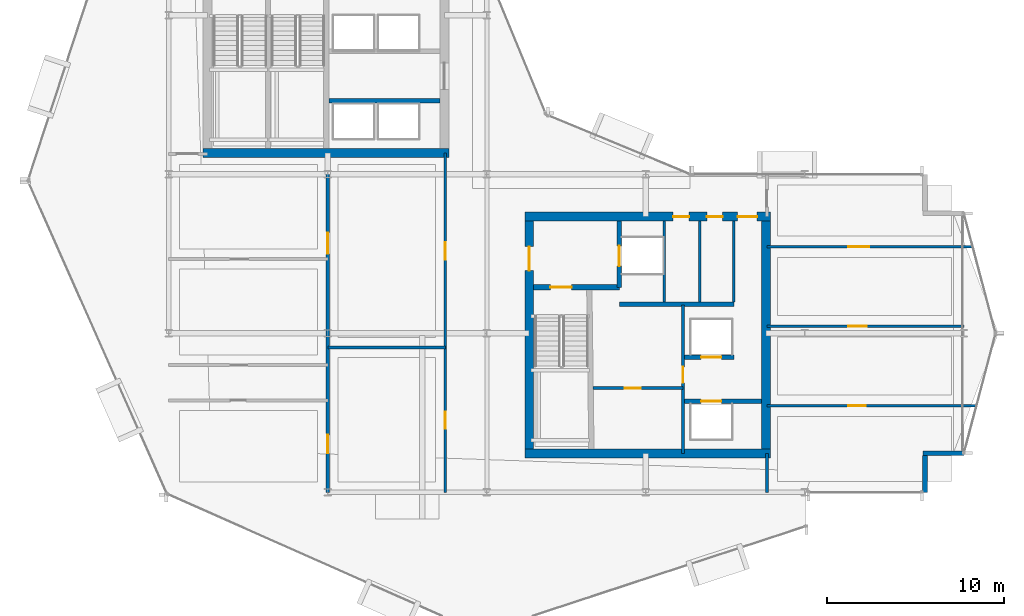
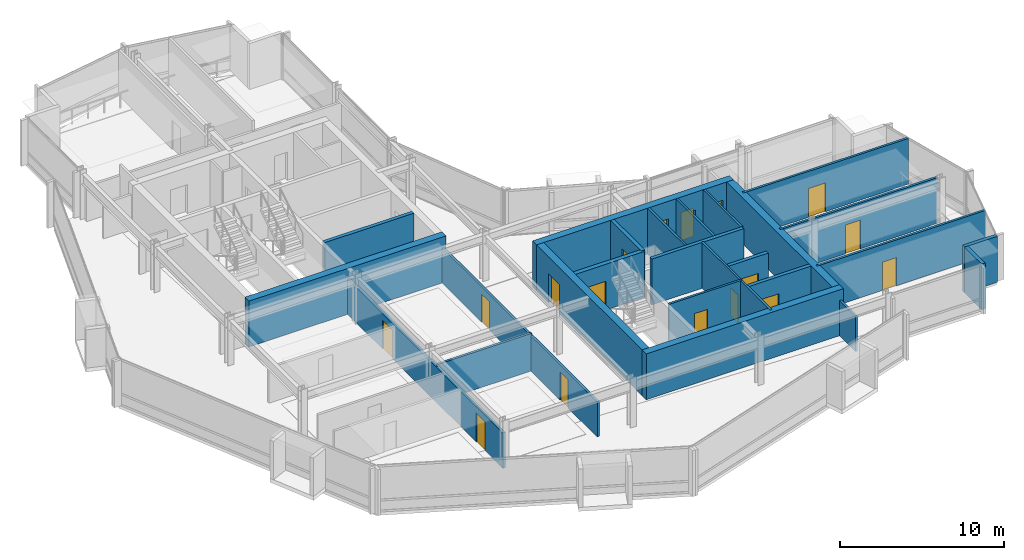
# One storey, part 22 of 29: 25 walls, 17 doors, 17 openings.
"""IFC4 building model written with IfcOpenShell, lengths in metres."""

from ifc_helpers import new_model, si_unit, direction, frame, frame_2d, origin, place, context, subcontext, project, spatial, rectangle, extrude, material, layer, layer_set, type_object, element, fill, save


model = new_model("IFC4")

# Units and contexts
model_context = context("Model", 3, precision=1e-05, world=origin(), true_north=direction((0.0, 1.0)))
body_context = subcontext(model_context, "Body", "Model", "MODEL_VIEW")
ifc_project = project(units=[si_unit("LENGTHUNIT", "METRE"), si_unit("AREAUNIT", "SQUARE_METRE"), si_unit("VOLUMEUNIT", "CUBIC_METRE"), si_unit("PLANEANGLEUNIT", "RADIAN"), si_unit("MASSUNIT", "GRAM", prefix="KILO")], contexts=[model_context])

# Site, building, storey
site_placement = place(None, origin())
site = spatial("IfcSite", under=ifc_project, at=site_placement, CompositionType="ELEMENT")
building_placement = place(site_placement, origin())
building = spatial("IfcBuilding", under=site, at=building_placement, Name="Solvaryn Broadcast Tower", CompositionType="ELEMENT")
storey_placement = place(building_placement, frame((0.0, 0.0, 139.60009765625)))
storey = spatial("IfcBuildingStorey", under=building, at=storey_placement, Name="L34", CompositionType="ELEMENT", Elevation=139.60009765625)

# Walls
ifc_material_1 = material(Name="Concrete f'c 70 MPa", Category="concrete")
ifc_layer_1 = layer(ifc_material_1, 0.5)
ifc_layer_set_1 = layer_set([ifc_layer_1], Name="CW-SHEAR-500")
wall_type_1 = type_object("IfcWallType", Name="CW-SHEAR-500", PredefinedType="SHEAR", material=ifc_layer_set_1)
for number, where, z_axis, x_axis, name in (
    (1, (10.949951171875, 28.199951171875, 0.0), (0.0, 0.0, 1.0), (1.0, 0.0, 0.0), "L34 West Core South Shear Wall"),
    (2, (29.14990234375, 11.199951171875, 0.0), (0.0, 0.0, 1.0), (1.0, 0.0, 0.0), "L34 East Core South Shear Wall"),
):
    element("IfcWall", number, at=place(storey_placement, frame(where, z_axis=z_axis, x_axis=x_axis)), inside=storey, type_object=wall_type_1, Name=name, PredefinedType="SHEAR", context=body_context, shape_type="SweptSolid", body=[
        extrude(rectangle(XDim=13.900146484375, YDim=0.5, at=frame_2d((6.9501953125, 0.0))), origin(), (0.0, 0.0, 1.0), 3.419921875),
    ])

# Wall, openings, doors
wall_1_placement = place(storey_placement, frame((43.050048828125, 24.60009765625, 0.0), z_axis=(0.0, 0.0, 1.0), x_axis=(-1.0, 0.0, 0.0)))
wall_1 = element("IfcWall", 3, at=wall_1_placement, inside=storey, type_object=wall_type_1, Name="L34 East Core North Shear Wall", PredefinedType="SHEAR", context=body_context, shape_type="SweptSolid", body=[
    extrude(rectangle(XDim=13.900146484375, YDim=0.5, at=frame_2d((6.9501953125, 0.0))), origin(), (0.0, 0.0, 1.0), 3.419921875),
])
opening_1_placement = place(wall_1_placement, frame((0.75, 0.0, 0.0)))
opening_1 = element("IfcOpeningElement", 4, at=opening_1_placement, cuts=wall_1, Name="Opening FD90C", PredefinedType="OPENING", context=body_context, shape_type="SweptSolid", body=[
    extrude(rectangle(XDim=1.10009765625, YDim=2.14990234375, at=frame_2d((0.550048828125, 1.074951171875))), frame((0.0, 0.260009765625, 0.0), z_axis=(0.0, -1.0, 0.0), x_axis=(1.0, 0.0, 0.0)), (0.0, 0.0, 1.0), 0.52001953125),
])
opening_2_placement = place(wall_1_placement, frame((2.699951171875, 0.0, 0.0)))
opening_2 = element("IfcOpeningElement", 5, at=opening_2_placement, cuts=wall_1, Name="Opening FD60C", PredefinedType="OPENING", context=body_context, shape_type="SweptSolid", body=[
    extrude(rectangle(XDim=0.89990234375, YDim=2.10009765625, at=frame_2d((0.449951171875, 1.050048828125))), frame((0.0, 0.260009765625, 0.0), z_axis=(0.0, -1.0, 0.0), x_axis=(1.0, 0.0, 0.0)), (0.0, 0.0, 1.0), 0.52001953125),
])
opening_3_placement = place(wall_1_placement, frame((4.60009765625, 0.0, 0.0)))
opening_3 = element("IfcOpeningElement", 6, at=opening_3_placement, cuts=wall_1, Name="Opening FD60C", PredefinedType="OPENING", context=body_context, shape_type="SweptSolid", body=[
    extrude(rectangle(XDim=0.89990234375, YDim=2.10009765625, at=frame_2d((0.449951171875, 1.050048828125))), frame((0.0, 0.260009765625, 0.0), z_axis=(0.0, -1.0, 0.0), x_axis=(1.0, 0.0, 0.0)), (0.0, 0.0, 1.0), 0.52001953125),
])
ifc_material_2 = material(Name="Flush Acoustic Steel and Timber Door Assembly", Category="steel")
door_type_1 = type_object("IfcDoorType", Name="FD60-SERV-900X2100", OperationType="NOTDEFINED", PredefinedType="DOOR", material=ifc_material_2)
door_1_placement = place(opening_2_placement, origin())
door_1 = element("IfcDoor", 7, at=door_1_placement, inside=storey, type_object=door_type_1, Name="L34 Staff Restroom Door", OperationType="SINGLE_SWING_LEFT", OverallHeight=2.10009765625, OverallWidth=0.89990234375, PredefinedType="DOOR", context=body_context, shape_type="SweptSolid", body=[
    extrude(rectangle(XDim=0.89990234375, YDim=2.10009765625, at=frame_2d((0.449951171875, 1.050048828125))), frame((0.0, 0.02490234375, 0.0), z_axis=(0.0, -1.0, 0.0), x_axis=(1.0, 0.0, 0.0)), (0.0, 0.0, 1.0), 0.050048828125),
])
fill(opening_2, door_1)
door_2_placement = place(opening_3_placement, origin())
door_2 = element("IfcDoor", 8, at=door_2_placement, inside=storey, type_object=door_type_1, Name="L34 Accessible WC Door", OperationType="SINGLE_SWING_RIGHT", OverallHeight=2.10009765625, OverallWidth=0.89990234375, PredefinedType="DOOR", context=body_context, shape_type="SweptSolid", body=[
    extrude(rectangle(XDim=0.89990234375, YDim=2.10009765625, at=frame_2d((0.449951171875, 1.050048828125))), frame((0.0, 0.02490234375, 0.0), z_axis=(0.0, -1.0, 0.0), x_axis=(1.0, 0.0, 0.0)), (0.0, 0.0, 1.0), 0.050048828125),
])
fill(opening_3, door_2)
ifc_material_3 = material(Name="Flush Acoustic Steel and Timber Door Assembly", Category="steel")
door_type_2 = type_object("IfcDoorType", Name="FD90-PLANT-1100X2150", OperationType="NOTDEFINED", PredefinedType="DOOR", material=ifc_material_3)
door_3_placement = place(opening_1_placement, origin())
door_3 = element("IfcDoor", 9, at=door_3_placement, inside=storey, type_object=door_type_2, Name="L34 East Core Lobby Corridor Door", OperationType="SINGLE_SWING_LEFT", OverallHeight=2.14990234375, OverallWidth=1.10009765625, PredefinedType="DOOR", context=body_context, shape_type="SweptSolid", body=[
    extrude(rectangle(XDim=1.10009765625, YDim=2.14990234375, at=frame_2d((0.550048828125, 1.074951171875))), frame((0.0, 0.02490234375, 0.0), z_axis=(0.0, -1.0, 0.0), x_axis=(1.0, 0.0, 0.0)), (0.0, 0.0, 1.0), 0.050048828125),
])
fill(opening_1, door_3)

# Wall, opening, door
wall_2_placement = place(storey_placement, frame((29.39990234375, 24.35009765625, 0.0), z_axis=(0.0, 0.0, 1.0), x_axis=(0.0, -1.0, 0.0)))
wall_2 = element("IfcWall", 10, at=wall_2_placement, inside=storey, type_object=wall_type_1, Name="L34 East Core West Shear Wall", PredefinedType="SHEAR", context=body_context, shape_type="SweptSolid", body=[
    extrude(rectangle(XDim=12.900146484375, YDim=0.5, at=frame_2d((6.4501953125, 0.0))), origin(), (0.0, 0.0, 1.0), 3.419921875),
])
opening_4_placement = place(wall_2_placement, frame((1.449951171875, 0.0, 0.0)))
opening_4 = element("IfcOpeningElement", 11, at=opening_4_placement, cuts=wall_2, Name="Opening FD90B", PredefinedType="OPENING", context=body_context, shape_type="SweptSolid", body=[
    extrude(rectangle(XDim=1.35009765625, YDim=2.14990234375, at=frame_2d((0.675048828125, 1.074951171875))), frame((0.0, 0.260009765625, 0.0), z_axis=(0.0, -1.0, 0.0), x_axis=(1.0, 0.0, 0.0)), (0.0, 0.0, 1.0), 0.52001953125),
])
ifc_material_4 = material(Name="Flush Acoustic Steel and Timber Door Assembly", Category="steel")
door_type_3 = type_object("IfcDoorType", Name="FD90-LOBBY-1350X2150", OperationType="NOTDEFINED", PredefinedType="DOOR", material=ifc_material_4)
door_4_placement = place(opening_4_placement, origin())
door_4 = element("IfcDoor", 12, at=door_4_placement, inside=storey, type_object=door_type_3, Name="L34 East FSAE Lobby Door", OperationType="SINGLE_SWING_RIGHT", OverallHeight=2.14990234375, OverallWidth=1.35009765625, PredefinedType="DOOR", context=body_context, shape_type="SweptSolid", body=[
    extrude(rectangle(XDim=1.35009765625, YDim=2.14990234375, at=frame_2d((0.675048828125, 1.074951171875))), frame((0.0, 0.02490234375, 0.0), z_axis=(0.0, -1.0, 0.0), x_axis=(1.0, 0.0, 0.0)), (0.0, 0.0, 1.0), 0.050048828125),
])
fill(opening_4, door_4)

# Walls
wall_3_placement = place(storey_placement, frame((42.800048828125, 11.449951171875, 0.0), z_axis=(0.0, 0.0, 1.0), x_axis=(0.0, 1.0, 0.0)))
element("IfcWall", 13, at=wall_3_placement, inside=storey, type_object=wall_type_1, Name="L34 East Core East Shear Wall", PredefinedType="SHEAR", context=body_context, shape_type="SweptSolid", body=[
    extrude(rectangle(XDim=12.900146484375, YDim=0.5, at=frame_2d((6.4501953125, 0.0))), origin(), (0.0, 0.0, 1.0), 3.419921875),
])
ifc_material_5 = material(Name="Concrete f'c 50 MPa", Category="concrete")
ifc_layer_2 = layer(ifc_material_5, 0.260009765625)
ifc_layer_set_2 = layer_set([ifc_layer_2], Name="EW-PIER-260")
wall_type_2 = type_object("IfcWallType", Name="EW-PIER-260", PredefinedType="SOLIDWALL", material=ifc_layer_set_2)
wall_4_placement = place(storey_placement, frame((51.800048828125, 9.0, 0.0), z_axis=(0.0, 0.0, 1.0), x_axis=(0.0, 1.0, 0.0)))
element("IfcWall", 14, at=wall_4_placement, inside=storey, type_object=wall_type_2, Name="L34 Notched Corner Pier Wall NSE1", PredefinedType="SOLIDWALL", context=body_context, shape_type="SweptSolid", body=[
    extrude(rectangle(XDim=2.080078125, YDim=0.260009765625, at=frame_2d((1.0400390625, 0.0))), origin(), (0.0, 0.0, 1.0), 3.419921875),
])
wall_5_placement = place(storey_placement, frame((51.679931640625, 11.199951171875, 0.0), z_axis=(0.0, 0.0, 1.0), x_axis=(1.0, 0.0, 0.0)))
element("IfcWall", 15, at=wall_5_placement, inside=storey, type_object=wall_type_2, Name="L34 Notched Corner Pier Wall NSE2", PredefinedType="SOLIDWALL", context=body_context, shape_type="SweptSolid", body=[
    extrude(rectangle(XDim=2.320068359375, YDim=0.260009765625, at=frame_2d((1.16015625, 0.0))), origin(), (0.0, 0.0, 1.0), 3.419921875),
])

# Wall, opening, door
ifc_material_6 = material(Name="Metal-Stud Service Core Partition")
ifc_layer_3 = layer(ifc_material_6, 0.14990234375)
ifc_layer_set_3 = layer_set([ifc_layer_3], Name="IW-PART-150")
wall_type_3 = type_object("IfcWallType", Name="IW-PART-150", PredefinedType="PARTITIONING", material=ifc_layer_set_3)
wall_6_placement = place(storey_placement, frame((33.0, 14.89990234375, 0.0), z_axis=(0.0, 0.0, 1.0), x_axis=(1.0, 0.0, 0.0)))
wall_6 = element("IfcWall", 16, at=wall_6_placement, inside=storey, type_object=wall_type_3, Name="L34 Interior Partition IW-L34-RPL-H", PredefinedType="PARTITIONING", context=body_context, shape_type="SweptSolid", body=[
    extrude(rectangle(XDim=5.10009765625, YDim=0.14990234375, at=frame_2d((2.550048828125, 0.0))), origin(), (0.0, 0.0, 1.0), 3.419921875),
])
opening_5_placement = place(wall_6_placement, frame((1.800048828125, 0.0, 0.0)))
opening_5 = element("IfcOpeningElement", 17, at=opening_5_placement, cuts=wall_6, Name="Opening FD60C", PredefinedType="OPENING", context=body_context, shape_type="SweptSolid", body=[
    extrude(rectangle(XDim=0.89990234375, YDim=2.10009765625, at=frame_2d((0.449951171875, 1.050048828125))), frame((0.0, 0.0849609375, 0.0), z_axis=(0.0, -1.0, 0.0), x_axis=(1.0, 0.0, 0.0)), (0.0, 0.0, 1.0), 0.169921875),
])
door_5_placement = place(opening_5_placement, origin())
door_5 = element("IfcDoor", 18, at=door_5_placement, inside=storey, type_object=door_type_1, Name="L34 Door DR-L34-RPL1", OperationType="SINGLE_SWING_LEFT", OverallHeight=2.10009765625, OverallWidth=0.89990234375, PredefinedType="DOOR", context=body_context, shape_type="SweptSolid", body=[
    extrude(rectangle(XDim=0.89990234375, YDim=2.10009765625, at=frame_2d((0.449951171875, 1.050048828125))), frame((0.0, 0.02490234375, 0.0), z_axis=(0.0, -1.0, 0.0), x_axis=(1.0, 0.0, 0.0)), (0.0, 0.0, 1.0), 0.050048828125),
])
fill(opening_5, door_5)

wall_7_placement = place(storey_placement, frame((38.10009765625, 11.199951171875, 0.0), z_axis=(0.0, 0.0, 1.0), x_axis=(0.0, 1.0, 0.0)))
wall_7 = element("IfcWall", 19, at=wall_7_placement, inside=storey, type_object=wall_type_3, Name="L34 Interior Partition IW-L34-RPL-E", PredefinedType="PARTITIONING", context=body_context, shape_type="SweptSolid", body=[
    extrude(rectangle(XDim=8.400146484375, YDim=0.14990234375, at=frame_2d((4.2001953125, 0.0))), origin(), (0.0, 0.0, 1.0), 3.419921875),
])
opening_6_placement = place(wall_7_placement, frame((4.0, 0.0, 0.0)))
opening_6 = element("IfcOpeningElement", 20, at=opening_6_placement, cuts=wall_7, Name="Opening FD60C", PredefinedType="OPENING", context=body_context, shape_type="SweptSolid", body=[
    extrude(rectangle(XDim=0.89990234375, YDim=2.10009765625, at=frame_2d((0.449951171875, 1.050048828125))), frame((0.0, 0.0849609375, 0.0), z_axis=(0.0, -1.0, 0.0), x_axis=(1.0, 0.0, 0.0)), (0.0, 0.0, 1.0), 0.169921875),
])
door_6_placement = place(opening_6_placement, origin())
door_6 = element("IfcDoor", 21, at=door_6_placement, inside=storey, type_object=door_type_1, Name="L34 Door DR-L34-RPL2", OperationType="SINGLE_SWING_RIGHT", OverallHeight=2.10009765625, OverallWidth=0.89990234375, PredefinedType="DOOR", context=body_context, shape_type="SweptSolid", body=[
    extrude(rectangle(XDim=0.89990234375, YDim=2.10009765625, at=frame_2d((0.449951171875, 1.050048828125))), frame((0.0, 0.02490234375, 0.0), z_axis=(0.0, -1.0, 0.0), x_axis=(1.0, 0.0, 0.0)), (0.0, 0.0, 1.0), 0.050048828125),
])
fill(opening_6, door_6)

# Walls
for number, where, z_axis, x_axis, name in (
    (22, (37.050048828125, 19.780029296875, 0.0), (0.0, 0.0, 1.0), (0.0, 1.0, 0.0), "L34 Interior Partition IW-L34-CE-FL2E"),
    (23, (39.050048828125, 19.780029296875, 0.0), (0.0, 0.0, 1.0), (0.0, 1.0, 0.0), "L34 Interior Partition IW-L34-CE-V1"),
    (24, (40.97998046875, 19.780029296875, 0.0), (0.0, 0.0, 1.0), (0.0, 1.0, 0.0), "L34 Interior Partition IW-L34-CE-V3"),
):
    element("IfcWall", number, at=place(storey_placement, frame(where, z_axis=z_axis, x_axis=x_axis)), inside=storey, type_object=wall_type_3, Name=name, PredefinedType="PARTITIONING", context=body_context, shape_type="SweptSolid", body=[
        extrude(rectangle(XDim=4.570068359375, YDim=0.14990234375, at=frame_2d((2.28515625, 0.0))), origin(), (0.0, 0.0, 1.0), 3.419921875),
    ])

# Wall, openings, doors
ifc_material_7 = material(Name="Metal-Stud Gypsum Office Partition")
ifc_layer_4 = layer(ifc_material_7, 0.159912109375)
ifc_layer_set_4 = layer_set([ifc_layer_4], Name="IW-PART-160")
wall_type_4 = type_object("IfcWallType", Name="IW-PART-160", PredefinedType="PARTITIONING", material=ifc_layer_set_4)
wall_8_placement = place(storey_placement, frame((24.64990234375, 9.0, 0.0), z_axis=(0.0, 0.0, 1.0), x_axis=(0.0, 1.0, 0.0)))
wall_8 = element("IfcWall", 25, at=wall_8_placement, inside=storey, type_object=wall_type_4, Name="L34 Interior Partition IW-L34-SW-EB", PredefinedType="PARTITIONING", context=body_context, shape_type="SweptSolid", body=[
    extrude(rectangle(XDim=19.199951171875, YDim=0.159912109375, at=frame_2d((9.60009765625, 0.0))), origin(), (0.0, 0.0, 1.0), 2.6337890625),
])
opening_7_placement = place(wall_8_placement, frame((3.60009765625, 0.0, 0.0)))
opening_7 = element("IfcOpeningElement", 26, at=opening_7_placement, cuts=wall_8, Name="Opening ID01", PredefinedType="OPENING", context=body_context, shape_type="SweptSolid", body=[
    extrude(rectangle(XDim=0.949951171875, YDim=2.10009765625, at=frame_2d((0.47509765625, 1.050048828125))), frame((0.0, 0.090087890625, 0.0), z_axis=(0.0, -1.0, 0.0), x_axis=(1.0, 0.0, 0.0)), (0.0, 0.0, 1.0), 0.179931640625),
])
opening_8_placement = place(wall_8_placement, frame((13.1650390625, 0.0, 0.0)))
opening_8 = element("IfcOpeningElement", 27, at=opening_8_placement, cuts=wall_8, Name="Opening ID02", PredefinedType="OPENING", context=body_context, shape_type="SweptSolid", body=[
    extrude(rectangle(XDim=1.0, YDim=2.10009765625, at=frame_2d((0.5, 1.050048828125))), frame((0.0, 0.090087890625, 0.0), z_axis=(0.0, -1.0, 0.0), x_axis=(1.0, 0.0, 0.0)), (0.0, 0.0, 1.0), 0.179931640625),
])
ifc_material_8 = material(Name="Flush Acoustic Steel and Timber Door Assembly", Category="steel")
door_type_4 = type_object("IfcDoorType", Name="ID-01-950X2100", OperationType="NOTDEFINED", PredefinedType="DOOR", material=ifc_material_8)
door_7_placement = place(opening_7_placement, origin())
door_7 = element("IfcDoor", 28, at=door_7_placement, inside=storey, type_object=door_type_4, Name="L34 Door DR-L34-SWE-1", OperationType="SINGLE_SWING_RIGHT", OverallHeight=2.10009765625, OverallWidth=0.949951171875, PredefinedType="DOOR", context=body_context, shape_type="SweptSolid", body=[
    extrude(rectangle(XDim=0.949951171875, YDim=2.10009765625, at=frame_2d((0.47509765625, 1.050048828125))), frame((0.0, 0.02490234375, 0.0), z_axis=(0.0, -1.0, 0.0), x_axis=(1.0, 0.0, 0.0)), (0.0, 0.0, 1.0), 0.050048828125),
])
fill(opening_7, door_7)
ifc_material_9 = material(Name="Flush Acoustic Steel and Timber Door Assembly", Category="steel")
door_type_5 = type_object("IfcDoorType", Name="ID-02-1000X2100", OperationType="NOTDEFINED", PredefinedType="DOOR", material=ifc_material_9)
door_8_placement = place(opening_8_placement, origin())
door_8 = element("IfcDoor", 29, at=door_8_placement, inside=storey, type_object=door_type_5, Name="L34 Door DR-L34-SWE-2", OperationType="SINGLE_SWING_LEFT", OverallHeight=2.10009765625, OverallWidth=1.0, PredefinedType="DOOR", context=body_context, shape_type="SweptSolid", body=[
    extrude(rectangle(XDim=1.0, YDim=2.10009765625, at=frame_2d((0.5, 1.050048828125))), frame((0.0, 0.02490234375, 0.0), z_axis=(0.0, -1.0, 0.0), x_axis=(1.0, 0.0, 0.0)), (0.0, 0.0, 1.0), 0.050048828125),
])
fill(opening_8, door_8)

# Walls
wall_9_placement = place(storey_placement, frame((18.0, 17.199951171875, 0.0), z_axis=(0.0, 0.0, 1.0), x_axis=(1.0, 0.0, 0.0)))
element("IfcWall", 30, at=wall_9_placement, inside=storey, type_object=wall_type_4, Name="L34 Interior Partition IW-L34-SWE-H1", PredefinedType="PARTITIONING", context=body_context, shape_type="SweptSolid", body=[
    extrude(rectangle(XDim=6.64990234375, YDim=0.159912109375, at=frame_2d((3.324951171875, 0.0))), origin(), (0.0, 0.0, 1.0), 2.7919921875),
])
wall_10_placement = place(storey_placement, frame((42.85009765625, 9.0, 0.0), z_axis=(0.0, 0.0, 1.0), x_axis=(0.0, 1.0, 0.0)))
element("IfcWall", 31, at=wall_10_placement, inside=storey, type_object=wall_type_4, Name="L34 Interior Partition IW-L34-SC-E", PredefinedType="PARTITIONING", context=body_context, shape_type="SweptSolid", body=[
    extrude(rectangle(XDim=2.199951171875, YDim=0.159912109375, at=frame_2d((1.10009765625, 0.0))), origin(), (0.0, 0.0, 1.0), 2.6337890625),
])

# Wall, opening, door
wall_11_placement = place(storey_placement, frame((42.85009765625, 13.89990234375, 0.0), z_axis=(0.0, 0.0, 1.0), x_axis=(1.0, 0.0, 0.0)))
wall_11 = element("IfcWall", 32, at=wall_11_placement, inside=storey, type_object=wall_type_4, Name="L34 Interior Partition IW-L34-EW-H1", PredefinedType="PARTITIONING", context=body_context, shape_type="SweptSolid", body=[
    extrude(rectangle(XDim=11.864990234375, YDim=0.159912109375, at=frame_2d((5.9326171875, 0.0))), origin(), (0.0, 0.0, 1.0), 3.419921875),
])
opening_9_placement = place(wall_11_placement, frame((4.60009765625, 0.0, 0.0)))
opening_9 = element("IfcOpeningElement", 33, at=opening_9_placement, cuts=wall_11, Name="Opening ID02", PredefinedType="OPENING", context=body_context, shape_type="SweptSolid", body=[
    extrude(rectangle(XDim=1.0, YDim=2.10009765625, at=frame_2d((0.5, 1.050048828125))), frame((0.0, 0.090087890625, 0.0), z_axis=(0.0, -1.0, 0.0), x_axis=(1.0, 0.0, 0.0)), (0.0, 0.0, 1.0), 0.179931640625),
])
door_9_placement = place(opening_9_placement, origin())
door_9 = element("IfcDoor", 34, at=door_9_placement, inside=storey, type_object=door_type_5, Name="L34 Door DR-L34-EW-1", OperationType="SINGLE_SWING_LEFT", OverallHeight=2.10009765625, OverallWidth=1.0, PredefinedType="DOOR", context=body_context, shape_type="SweptSolid", body=[
    extrude(rectangle(XDim=1.0, YDim=2.10009765625, at=frame_2d((0.5, 1.050048828125))), frame((0.0, 0.02490234375, 0.0), z_axis=(0.0, -1.0, 0.0), x_axis=(1.0, 0.0, 0.0)), (0.0, 0.0, 1.0), 0.050048828125),
])
fill(opening_9, door_9)

wall_12_placement = place(storey_placement, frame((42.85009765625, 18.39990234375, 0.0), z_axis=(0.0, 0.0, 1.0), x_axis=(1.0, 0.0, 0.0)))
wall_12 = element("IfcWall", 35, at=wall_12_placement, inside=storey, type_object=wall_type_4, Name="L34 Interior Partition IW-L34-EW-H2", PredefinedType="PARTITIONING", context=body_context, shape_type="SweptSolid", body=[
    extrude(rectangle(XDim=11.14990234375, YDim=0.159912109375, at=frame_2d((5.574951171875, 0.0))), origin(), (0.0, 0.0, 1.0), 3.419921875),
])
opening_10_placement = place(wall_12_placement, frame((4.60009765625, 0.0, 0.0)))
opening_10 = element("IfcOpeningElement", 36, at=opening_10_placement, cuts=wall_12, Name="Opening ID03", PredefinedType="OPENING", context=body_context, shape_type="SweptSolid", body=[
    extrude(rectangle(XDim=1.050048828125, YDim=2.14990234375, at=frame_2d((0.52490234375, 1.074951171875))), frame((0.0, 0.090087890625, 0.0), z_axis=(0.0, -1.0, 0.0), x_axis=(1.0, 0.0, 0.0)), (0.0, 0.0, 1.0), 0.179931640625),
])
ifc_material_10 = material(Name="Flush Acoustic Steel and Timber Door Assembly", Category="steel")
door_type_6 = type_object("IfcDoorType", Name="ID-03-1050X2150", OperationType="NOTDEFINED", PredefinedType="DOOR", material=ifc_material_10)
door_10_placement = place(opening_10_placement, origin())
door_10 = element("IfcDoor", 37, at=door_10_placement, inside=storey, type_object=door_type_6, Name="L34 Door DR-L34-EW-2", OperationType="SINGLE_SWING_RIGHT", OverallHeight=2.14990234375, OverallWidth=1.050048828125, PredefinedType="DOOR", context=body_context, shape_type="SweptSolid", body=[
    extrude(rectangle(XDim=1.050048828125, YDim=2.14990234375, at=frame_2d((0.52490234375, 1.074951171875))), frame((0.0, 0.02490234375, 0.0), z_axis=(0.0, -1.0, 0.0), x_axis=(1.0, 0.0, 0.0)), (0.0, 0.0, 1.0), 0.050048828125),
])
fill(opening_10, door_10)

wall_13_placement = place(storey_placement, frame((42.85009765625, 22.89990234375, 0.0), z_axis=(0.0, 0.0, 1.0), x_axis=(1.0, 0.0, 0.0)))
wall_13 = element("IfcWall", 38, at=wall_13_placement, inside=storey, type_object=wall_type_4, Name="L34 Interior Partition IW-L34-EW-H3", PredefinedType="PARTITIONING", context=body_context, shape_type="SweptSolid", body=[
    extrude(rectangle(XDim=11.65283203125, YDim=0.159912109375, at=frame_2d((5.826416015625, 0.0))), origin(), (0.0, 0.0, 1.0), 3.419921875),
])
opening_11_placement = place(wall_13_placement, frame((4.60009765625, 0.0, 0.0)))
opening_11 = element("IfcOpeningElement", 39, at=opening_11_placement, cuts=wall_13, Name="Opening ID04", PredefinedType="OPENING", context=body_context, shape_type="SweptSolid", body=[
    extrude(rectangle(XDim=1.199951171875, YDim=2.14990234375, at=frame_2d((0.60009765625, 1.074951171875))), frame((0.0, 0.090087890625, 0.0), z_axis=(0.0, -1.0, 0.0), x_axis=(1.0, 0.0, 0.0)), (0.0, 0.0, 1.0), 0.179931640625),
])
ifc_material_11 = material(Name="Flush Acoustic Steel and Timber Door Assembly", Category="steel")
door_type_7 = type_object("IfcDoorType", Name="ID-04-1200X2150", OperationType="NOTDEFINED", PredefinedType="DOOR", material=ifc_material_11)
door_11_placement = place(opening_11_placement, origin())
door_11 = element("IfcDoor", 40, at=door_11_placement, inside=storey, type_object=door_type_7, Name="L34 Door DR-L34-EW-3", OperationType="SINGLE_SWING_LEFT", OverallHeight=2.14990234375, OverallWidth=1.199951171875, PredefinedType="DOOR", context=body_context, shape_type="SweptSolid", body=[
    extrude(rectangle(XDim=1.199951171875, YDim=2.14990234375, at=frame_2d((0.60009765625, 1.074951171875))), frame((0.0, 0.02490234375, 0.0), z_axis=(0.0, -1.0, 0.0), x_axis=(1.0, 0.0, 0.0)), (0.0, 0.0, 1.0), 0.050048828125),
])
fill(opening_11, door_11)

# Wall, openings, doors
ifc_material_12 = material(Name="Acoustic Metal-Stud Gypsum Partition")
ifc_layer_5 = layer(ifc_material_12, 0.179931640625)
ifc_layer_set_5 = layer_set([ifc_layer_5], Name="IW-PART-180")
wall_type_5 = type_object("IfcWallType", Name="IW-PART-180", PredefinedType="PARTITIONING", material=ifc_layer_set_5)
wall_14_placement = place(storey_placement, frame((18.0, 9.0, 0.0), z_axis=(0.0, 0.0, 1.0), x_axis=(0.0, 1.0, 0.0)))
wall_14 = element("IfcWall", 41, at=wall_14_placement, inside=storey, type_object=wall_type_5, Name="L34 Interior Partition IW-L34-SW-VX", PredefinedType="PARTITIONING", context=body_context, shape_type="SweptSolid", body=[
    extrude(rectangle(XDim=19.1298828125, YDim=0.179931640625, at=frame_2d((9.56494140625, 0.0))), origin(), (0.0, 0.0, 1.0), 2.6337890625),
])
opening_12_placement = place(wall_14_placement, frame((2.199951171875, 0.0, 0.0)))
opening_12 = element("IfcOpeningElement", 42, at=opening_12_placement, cuts=wall_14, Name="Opening ID03", PredefinedType="OPENING", context=body_context, shape_type="SweptSolid", body=[
    extrude(rectangle(XDim=1.050048828125, YDim=2.14990234375, at=frame_2d((0.52490234375, 1.074951171875))), frame((0.0, 0.099853515625, 0.0), z_axis=(0.0, -1.0, 0.0), x_axis=(1.0, 0.0, 0.0)), (0.0, 0.0, 1.0), 0.199951171875),
])
opening_13_placement = place(wall_14_placement, frame((13.5, 0.0, 0.0)))
opening_13 = element("IfcOpeningElement", 43, at=opening_13_placement, cuts=wall_14, Name="Opening ID04", PredefinedType="OPENING", context=body_context, shape_type="SweptSolid", body=[
    extrude(rectangle(XDim=1.199951171875, YDim=2.14990234375, at=frame_2d((0.60009765625, 1.074951171875))), frame((0.0, 0.099853515625, 0.0), z_axis=(0.0, -1.0, 0.0), x_axis=(1.0, 0.0, 0.0)), (0.0, 0.0, 1.0), 0.199951171875),
])
door_12_placement = place(opening_12_placement, origin())
door_12 = element("IfcDoor", 44, at=door_12_placement, inside=storey, type_object=door_type_6, Name="L34 Door DR-L34-SWW-X1", OperationType="SINGLE_SWING_RIGHT", OverallHeight=2.14990234375, OverallWidth=1.050048828125, PredefinedType="DOOR", context=body_context, shape_type="SweptSolid", body=[
    extrude(rectangle(XDim=1.050048828125, YDim=2.14990234375, at=frame_2d((0.52490234375, 1.074951171875))), frame((0.0, 0.02490234375, 0.0), z_axis=(0.0, -1.0, 0.0), x_axis=(1.0, 0.0, 0.0)), (0.0, 0.0, 1.0), 0.050048828125),
])
fill(opening_12, door_12)
door_13_placement = place(opening_13_placement, origin())
door_13 = element("IfcDoor", 45, at=door_13_placement, inside=storey, type_object=door_type_7, Name="L34 Door DR-L34-SWW-X2", OperationType="SINGLE_SWING_LEFT", OverallHeight=2.14990234375, OverallWidth=1.199951171875, PredefinedType="DOOR", context=body_context, shape_type="SweptSolid", body=[
    extrude(rectangle(XDim=1.199951171875, YDim=2.14990234375, at=frame_2d((0.60009765625, 1.074951171875))), frame((0.0, 0.02490234375, 0.0), z_axis=(0.0, -1.0, 0.0), x_axis=(1.0, 0.0, 0.0)), (0.0, 0.0, 1.0), 0.050048828125),
])
fill(opening_13, door_13)

# Wall
ifc_material_13 = material(Name="Concrete f'c 60 MPa", Category="concrete")
ifc_layer_6 = layer(ifc_material_13, 0.25)
ifc_layer_set_6 = layer_set([ifc_layer_6], Name="SW-SHAFT-250")
wall_type_6 = type_object("IfcWallType", Name="SW-SHAFT-250", PredefinedType="PARTITIONING", material=ifc_layer_set_6)
wall_15_placement = place(storey_placement, frame((18.070068359375, 31.14990234375, 0.0), z_axis=(0.0, 0.0, 1.0), x_axis=(1.0, 0.0, 0.0)))
element("IfcWall", 46, at=wall_15_placement, inside=storey, type_object=wall_type_6, Name="L34 High-Rise Lift Bank South Wall", PredefinedType="PARTITIONING", context=body_context, shape_type="SweptSolid", body=[
    extrude(rectangle(XDim=6.280029296875, YDim=0.25, at=frame_2d((3.14013671875, 0.0))), origin(), (0.0, 0.0, 1.0), 3.419921875),
])

# Wall, opening, door
wall_16_placement = place(storey_placement, frame((34.5, 20.60009765625, 0.0), z_axis=(0.0, 0.0, 1.0), x_axis=(0.0, 1.0, 0.0)))
wall_16 = element("IfcWall", 47, at=wall_16_placement, inside=storey, type_object=wall_type_6, Name="L34 East FSAE Lobby East Wall", PredefinedType="PARTITIONING", context=body_context, shape_type="SweptSolid", body=[
    extrude(rectangle(XDim=3.75, YDim=0.25, at=frame_2d((1.875, 0.0))), origin(), (0.0, 0.0, 1.0), 3.419921875),
])
opening_14_placement = place(wall_16_placement, frame((1.199951171875, 0.0, 0.0)))
opening_14 = element("IfcOpeningElement", 48, at=opening_14_placement, cuts=wall_16, Name="Opening LD01", PredefinedType="OPENING", context=body_context, shape_type="SweptSolid", body=[
    extrude(rectangle(XDim=1.14990234375, YDim=2.14990234375, at=frame_2d((0.574951171875, 1.074951171875))), frame((0.0, 0.135009765625, 0.0), z_axis=(0.0, -1.0, 0.0), x_axis=(1.0, 0.0, 0.0)), (0.0, 0.0, 1.0), 0.27001953125),
])
ifc_material_14 = material(Name="Flush Acoustic Steel and Timber Door Assembly", Category="steel")
door_type_8 = type_object("IfcDoorType", Name="LD-LIFT-1150X2150", OperationType="NOTDEFINED", PredefinedType="DOOR", material=ifc_material_14)
door_14_placement = place(opening_14_placement, origin())
door_14 = element("IfcDoor", 49, at=door_14_placement, inside=storey, type_object=door_type_8, Name="L34 FL2 Lift Landing Door", OperationType="DOUBLE_DOOR_SLIDING", OverallHeight=2.14990234375, OverallWidth=1.14990234375, PredefinedType="DOOR", context=body_context, shape_type="SweptSolid", body=[
    extrude(rectangle(XDim=1.14990234375, YDim=2.14990234375, at=frame_2d((0.574951171875, 1.074951171875))), frame((0.0, 0.02490234375, 0.0), z_axis=(0.0, -1.0, 0.0), x_axis=(1.0, 0.0, 0.0)), (0.0, 0.0, 1.0), 0.050048828125),
])
fill(opening_14, door_14)

# Wall
wall_17_placement = place(storey_placement, frame((34.5, 19.64990234375, 0.0), z_axis=(0.0, 0.0, 1.0), x_axis=(1.0, 0.0, 0.0)))
element("IfcWall", 50, at=wall_17_placement, inside=storey, type_object=wall_type_6, Name="L34 East Core Restroom South Wall", PredefinedType="PARTITIONING", context=body_context, shape_type="SweptSolid", body=[
    extrude(rectangle(XDim=6.47998046875, YDim=0.25, at=frame_2d((3.239990234375, 0.0))), origin(), (0.0, 0.0, 1.0), 3.419921875),
])

# Wall, opening, door
wall_18_placement = place(storey_placement, frame((38.199951171875, 14.14990234375, 0.0), z_axis=(0.0, 0.0, 1.0), x_axis=(1.0, 0.0, 0.0)))
wall_18 = element("IfcWall", 51, at=wall_18_placement, inside=storey, type_object=wall_type_6, Name="L34 East Lift Bank South Wall", PredefinedType="PARTITIONING", context=body_context, shape_type="SweptSolid", body=[
    extrude(rectangle(XDim=4.35009765625, YDim=0.25, at=frame_2d((2.175048828125, 0.0))), origin(), (0.0, 0.0, 1.0), 3.419921875),
])
opening_15_placement = place(wall_18_placement, frame((0.925048828125, 0.0, 0.0)))
opening_15 = element("IfcOpeningElement", 52, at=opening_15_placement, cuts=wall_18, Name="Opening LD01", PredefinedType="OPENING", context=body_context, shape_type="SweptSolid", body=[
    extrude(rectangle(XDim=1.14990234375, YDim=2.14990234375, at=frame_2d((0.574951171875, 1.074951171875))), frame((0.0, 0.135009765625, 0.0), z_axis=(0.0, -1.0, 0.0), x_axis=(1.0, 0.0, 0.0)), (0.0, 0.0, 1.0), 0.27001953125),
])
door_15_placement = place(opening_15_placement, origin())
door_15 = element("IfcDoor", 53, at=door_15_placement, inside=storey, type_object=door_type_8, Name="L34 PM1 Lift Landing Door", OperationType="DOUBLE_DOOR_SLIDING", OverallHeight=2.14990234375, OverallWidth=1.14990234375, PredefinedType="DOOR", context=body_context, shape_type="SweptSolid", body=[
    extrude(rectangle(XDim=1.14990234375, YDim=2.14990234375, at=frame_2d((0.574951171875, 1.074951171875))), frame((0.0, 0.02490234375, 0.0), z_axis=(0.0, -1.0, 0.0), x_axis=(1.0, 0.0, 0.0)), (0.0, 0.0, 1.0), 0.050048828125),
])
fill(opening_15, door_15)

wall_19_placement = place(storey_placement, frame((40.97998046875, 16.64990234375, 0.0), z_axis=(0.0, 0.0, 1.0), x_axis=(-1.0, 0.0, 0.0)))
wall_19 = element("IfcWall", 54, at=wall_19_placement, inside=storey, type_object=wall_type_6, Name="L34 East Lift Bank North Wall", PredefinedType="PARTITIONING", context=body_context, shape_type="SweptSolid", body=[
    extrude(rectangle(XDim=2.780029296875, YDim=0.25, at=frame_2d((1.39013671875, 0.0))), origin(), (0.0, 0.0, 1.0), 3.419921875),
])
opening_16_placement = place(wall_19_placement, frame((0.705078125, 0.0, 0.0)))
opening_16 = element("IfcOpeningElement", 55, at=opening_16_placement, cuts=wall_19, Name="Opening LD01", PredefinedType="OPENING", context=body_context, shape_type="SweptSolid", body=[
    extrude(rectangle(XDim=1.14990234375, YDim=2.14990234375, at=frame_2d((0.574951171875, 1.074951171875))), frame((0.0, 0.135009765625, 0.0), z_axis=(0.0, -1.0, 0.0), x_axis=(1.0, 0.0, 0.0)), (0.0, 0.0, 1.0), 0.27001953125),
])
door_16_placement = place(opening_16_placement, origin())
door_16 = element("IfcDoor", 56, at=door_16_placement, inside=storey, type_object=door_type_8, Name="L34 PM2 Lift Landing Door", OperationType="DOUBLE_DOOR_SLIDING", OverallHeight=2.14990234375, OverallWidth=1.14990234375, PredefinedType="DOOR", context=body_context, shape_type="SweptSolid", body=[
    extrude(rectangle(XDim=1.14990234375, YDim=2.14990234375, at=frame_2d((0.574951171875, 1.074951171875))), frame((0.0, 0.02490234375, 0.0), z_axis=(0.0, -1.0, 0.0), x_axis=(1.0, 0.0, 0.0)), (0.0, 0.0, 1.0), 0.050048828125),
])
fill(opening_16, door_16)

ifc_material_15 = material(Name="Concrete f'c 70 MPa", Category="concrete")
ifc_layer_7 = layer(ifc_material_15, 0.300048828125)
ifc_layer_set_7 = layer_set([ifc_layer_7], Name="SW-SHAFT-300")
wall_type_7 = type_object("IfcWallType", Name="SW-SHAFT-300", PredefinedType="SHEAR", material=ifc_layer_set_7)
wall_20_placement = place(storey_placement, frame((34.5, 20.60009765625, 0.0), z_axis=(0.0, 0.0, 1.0), x_axis=(-1.0, 0.0, 0.0)))
wall_20 = element("IfcWall", 57, at=wall_20_placement, inside=storey, type_object=wall_type_7, Name="L34 East FSAE Lobby South Wall", PredefinedType="SHEAR", context=body_context, shape_type="SweptSolid", body=[
    extrude(rectangle(XDim=4.85009765625, YDim=0.300048828125, at=frame_2d((2.425048828125, 0.0))), origin(), (0.0, 0.0, 1.0), 3.419921875),
])
opening_17_placement = place(wall_20_placement, frame((2.699951171875, 0.0, 0.0)))
opening_17 = element("IfcOpeningElement", 58, at=opening_17_placement, cuts=wall_20, Name="Opening FD90A", PredefinedType="OPENING", context=body_context, shape_type="SweptSolid", body=[
    extrude(rectangle(XDim=1.199951171875, YDim=2.14990234375, at=frame_2d((0.60009765625, 1.074951171875))), frame((0.0, 0.159912109375, 0.0), z_axis=(0.0, -1.0, 0.0), x_axis=(1.0, 0.0, 0.0)), (0.0, 0.0, 1.0), 0.320068359375),
])
ifc_material_16 = material(Name="Flush Acoustic Steel and Timber Door Assembly", Category="steel")
door_type_9 = type_object("IfcDoorType", Name="FD90-STAIR-1200X2150", OperationType="NOTDEFINED", PredefinedType="DOOR", material=ifc_material_16)
door_17_placement = place(opening_17_placement, origin())
door_17 = element("IfcDoor", 59, at=door_17_placement, inside=storey, type_object=door_type_9, Name="L34 Stair 3 Fire Door", OperationType="SINGLE_SWING_LEFT", OverallHeight=2.14990234375, OverallWidth=1.199951171875, PredefinedType="DOOR", context=body_context, shape_type="SweptSolid", body=[
    extrude(rectangle(XDim=1.199951171875, YDim=2.14990234375, at=frame_2d((0.60009765625, 1.074951171875))), frame((0.0, 0.02490234375, 0.0), z_axis=(0.0, -1.0, 0.0), x_axis=(1.0, 0.0, 0.0)), (0.0, 0.0, 1.0), 0.050048828125),
])
fill(opening_17, door_17)

save(model, "model.ifc")
